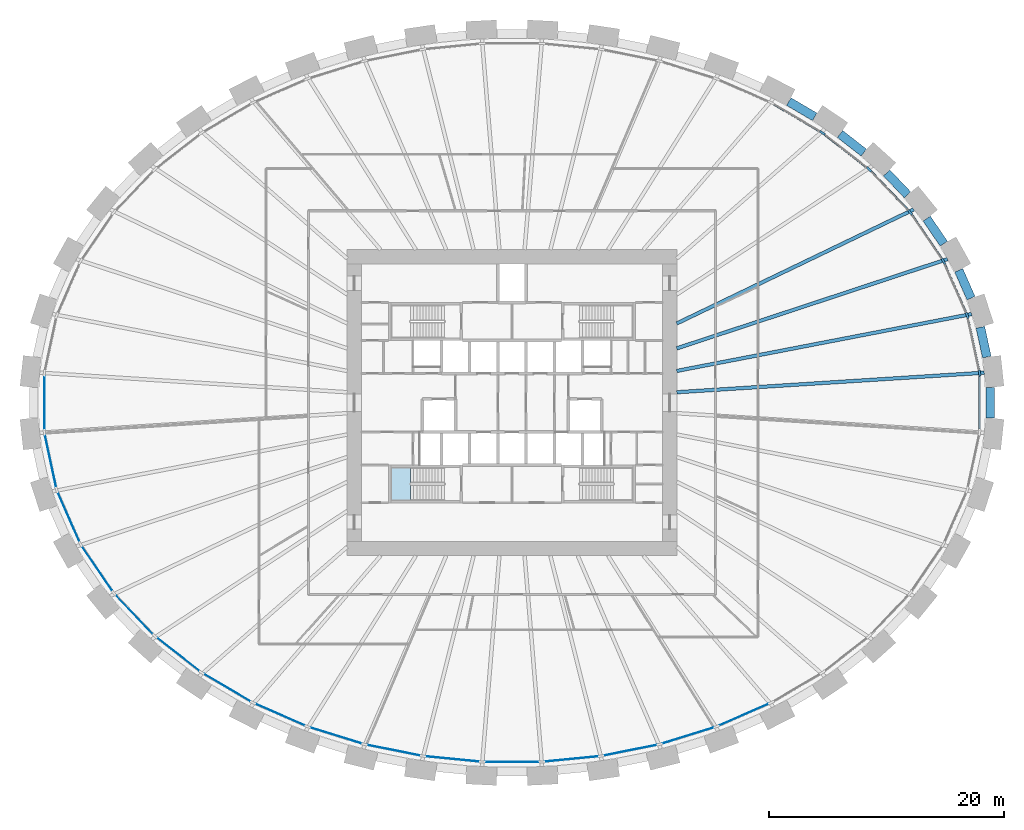
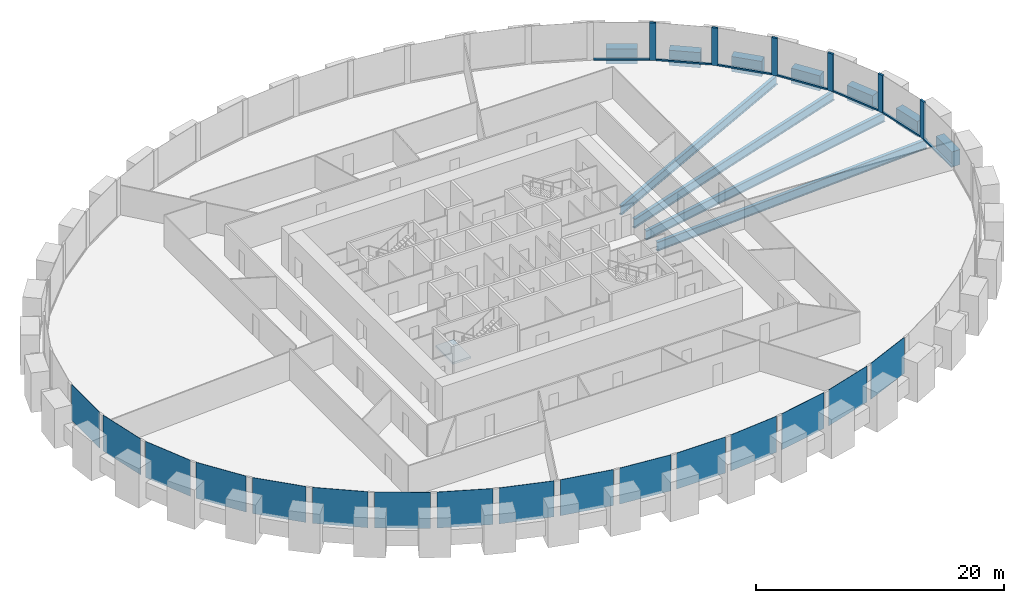
# One storey, part 4 of 10: 16 plates, 13 members, 11 beams, 1 slab, 2 elements without a shape of their own.
"""IFC4 building model written with IfcOpenShell, lengths in metres."""

from ifc_helpers import new_model, si_unit, direction, frame, origin, origin_2d, place, context, subcontext, project, spatial, polyline, rectangle, i_section, outline, extrude, source, transform, mapped, material, layer, layer_set, material_profile, profile_set, type_object, element, aggregate, save


model = new_model("IFC4")

# Units and contexts
model_context = context("Model", 3, precision=1e-05, world=origin(), true_north=direction((0.0, 1.0)))
body_context = subcontext(model_context, "Body", "Model", "MODEL_VIEW")
ifc_project = project(units=[si_unit("LENGTHUNIT", "METRE"), si_unit("AREAUNIT", "SQUARE_METRE"), si_unit("VOLUMEUNIT", "CUBIC_METRE"), si_unit("PLANEANGLEUNIT", "RADIAN"), si_unit("MASSUNIT", "GRAM", prefix="KILO")], contexts=[model_context])

# Site, building, storey
site_placement = place(None, origin())
site = spatial("IfcSite", under=ifc_project, at=site_placement, CompositionType="ELEMENT")
building_placement = place(site_placement, origin())
building = spatial("IfcBuilding", under=site, at=building_placement, Name="Embergate Tower", CompositionType="ELEMENT")
storey_placement = place(building_placement, frame((0.0, 0.0, 81.5)))
storey = spatial("IfcBuildingStorey", under=building, at=storey_placement, Name="L16", CompositionType="ELEMENT", Elevation=81.5)

# Beams
ifc_material_1 = material(Name="Concrete C70", Category="concrete")
ifc_material_profile_1 = material_profile(ifc_material_1, rectangle(XDim=0.75, YDim=1.5, at=origin_2d()), Name="RC 750x1500")
ifc_profile_set_1 = profile_set([ifc_material_profile_1], Name="Concrete C70")
beam_type_1 = type_object("IfcBeamType", Name="Spandrel beam RC 750x1500 C70", PredefinedType="BEAM", material=ifc_profile_set_1)
shared_shape_1 = source(origin(), body_context, "Body", "SweptSolid", [
    extrude(rectangle(XDim=0.75, YDim=1.5, at=origin_2d()), origin(), (0.0, 0.0, 1.0), 2.5869140625),
])
beam_1_placement = place(storey_placement, frame((40.343017578125, 3.8798828125, 0.0), z_axis=(-0.210270227171, 0.977643304874, 0.0), x_axis=(-0.977643304874, -0.210270227171, 0.0)))
element("IfcBeam", 1, at=beam_1_placement, inside=storey, type_object=beam_type_1, Name="SPN-L16-00", PredefinedType="BEAM", context=body_context, shape_type="MappedRepresentation", body=[
    mapped(shared_shape_1, transform((0.0, 0.0, 0.0))),
])
shared_shape_2 = source(origin(), body_context, "Body", "SweptSolid", [
    extrude(rectangle(XDim=0.75, YDim=1.5, at=origin_2d()), origin(), (0.0, 0.0, 1.0), 2.583251953125),
])
beam_2_placement = place(storey_placement, frame((38.9990234375, 8.883056640625, 0.0), z_axis=(-0.401468201792, 0.915872962233, 0.0), x_axis=(-0.915872962233, -0.401468201792, 0.0)))
element("IfcBeam", 2, at=beam_2_placement, inside=storey, type_object=beam_type_1, Name="SPN-L16-01", PredefinedType="BEAM", context=body_context, shape_type="MappedRepresentation", body=[
    mapped(shared_shape_2, transform((0.0, 0.0, 0.0))),
])
shared_shape_3 = source(origin(), body_context, "Body", "SweptSolid", [
    extrude(rectangle(XDim=0.75, YDim=1.5, at=origin_2d()), origin(), (0.0, 0.0, 1.0), 2.574951171875),
])
beam_3_placement = place(storey_placement, frame((36.68603515625, 13.513916015625, 0.0), z_axis=(-0.562356702599, 0.826894756932, 0.0), x_axis=(-0.826894756932, -0.562356702599, 0.0)))
element("IfcBeam", 3, at=beam_3_placement, inside=storey, type_object=beam_type_1, Name="SPN-L16-02", PredefinedType="BEAM", context=body_context, shape_type="MappedRepresentation", body=[
    mapped(shared_shape_3, transform((0.0, 0.0, 0.0))),
])
shared_shape_4 = source(origin(), body_context, "Body", "SweptSolid", [
    extrude(rectangle(XDim=0.75, YDim=1.5, at=origin_2d()), origin(), (0.0, 0.0, 1.0), 2.568115234375),
])
beam_4_placement = place(storey_placement, frame((33.60400390625, 17.6650390625, 0.0), z_axis=(-0.68998268655, 0.723825871506, 0.0), x_axis=(-0.723825871506, -0.68998268655, 0.0)))
element("IfcBeam", 4, at=beam_4_placement, inside=storey, type_object=beam_type_1, Name="SPN-L16-03", PredefinedType="BEAM", context=body_context, shape_type="MappedRepresentation", body=[
    mapped(shared_shape_4, transform((0.0, 0.0, 0.0))),
])
shared_shape_5 = source(origin(), body_context, "Body", "SweptSolid", [
    extrude(rectangle(XDim=0.75, YDim=1.5, at=origin_2d()), origin(), (0.0, 0.0, 1.0), 2.560791015625),
])
beam_5_placement = place(storey_placement, frame((29.89111328125, 21.25390625, 0.0), z_axis=(-0.788437573921, 0.615114779557, 0.0), x_axis=(-0.615114779557, -0.788437573921, 0.0)))
element("IfcBeam", 5, at=beam_5_placement, inside=storey, type_object=beam_type_1, Name="SPN-L16-04", PredefinedType="BEAM", context=body_context, shape_type="MappedRepresentation", body=[
    mapped(shared_shape_5, transform((0.0, 0.0, 0.0))),
])
shared_shape_6 = source(origin(), body_context, "Body", "SweptSolid", [
    extrude(rectangle(XDim=0.75, YDim=1.5, at=origin_2d()), origin(), (0.0, 0.0, 1.0), 2.55517578125),
])
beam_6_placement = place(storey_placement, frame((25.721923828125, 24.291015625, 0.0), z_axis=(-0.862086455961, 0.506761228241, 0.0), x_axis=(-0.506761228241, -0.862086455961, 0.0)))
element("IfcBeam", 6, at=beam_6_placement, inside=storey, type_object=beam_type_1, Name="SPN-L16-05", PredefinedType="BEAM", context=body_context, shape_type="MappedRepresentation", body=[
    mapped(shared_shape_6, transform((0.0, 0.0, 0.0))),
])
shared_shape_7 = source(origin(), body_context, "Body", "SweptSolid", [
    extrude(rectangle(XDim=0.75, YDim=1.5, at=origin_2d()), origin(), (0.0, 0.0, 1.0), 2.59423828125),
])
beam_7_placement = place(storey_placement, frame((40.637939453125, -1.297119140625, 0.0), z_axis=(0.0, 1.0, 0.0), x_axis=(-1.0, 0.0, 0.0)))
element("IfcBeam", 7, at=beam_7_placement, inside=storey, type_object=beam_type_1, Name="SPN-L16-43", PredefinedType="BEAM", context=body_context, shape_type="MappedRepresentation", body=[
    mapped(shared_shape_7, transform((0.0, 0.0, 0.0))),
])
ifc_material_2 = material(Name="Steel Q355B", Category="steel")
ifc_material_profile_2 = material_profile(ifc_material_2, i_section(OverallWidth=0.300048828125, OverallDepth=0.89990234375, WebThickness=0.01611328125, FlangeThickness=0.028076171875, FilletRadius=0.028076171875, at=origin_2d()), Name="HN 900x300x16x28")
ifc_profile_set_2 = profile_set([ifc_material_profile_2], Name="Steel Q355 grade B")
beam_type_2 = type_object("IfcBeamType", Name="Radial girder HN 900x300x16x28", PredefinedType="BEAM", material=ifc_profile_set_2)
shared_shape_8 = source(origin(), body_context, "Body", "SweptSolid", [
    extrude(i_section(OverallWidth=0.300048828125, OverallDepth=0.89990234375, WebThickness=0.01611328125, FlangeThickness=0.028076171875, FilletRadius=0.028076171875, at=origin_2d()), origin(), (0.0, 0.0, 1.0), 26.17578125),
])
beam_8_placement = place(storey_placement, frame((40.123046875, 2.549072265625, -0.64990234375), z_axis=(-0.997989066798, -0.063386296243, 0.0), x_axis=(0.063386296243, -0.997989066798, 0.0)))
element("IfcBeam", 8, at=beam_8_placement, inside=storey, type_object=beam_type_2, Name="GIR-L16-00", PredefinedType="BEAM", context=body_context, shape_type="MappedRepresentation", body=[
    mapped(shared_shape_8, transform((0.0, 0.0, 0.0))),
])
shared_shape_9 = source(origin(), body_context, "Body", "SweptSolid", [
    extrude(i_section(OverallWidth=0.300048828125, OverallDepth=0.89990234375, WebThickness=0.01611328125, FlangeThickness=0.028076171875, FilletRadius=0.028076171875, at=origin_2d()), origin(), (0.0, 0.0, 1.0), 25.5126953125),
])
beam_9_placement = place(storey_placement, frame((39.051025390625, 7.532958984375, -0.64990234375), z_axis=(-0.981900703084, -0.189396434187, 0.0), x_axis=(0.189396434187, -0.981900703084, 0.0)))
element("IfcBeam", 9, at=beam_9_placement, inside=storey, type_object=beam_type_2, Name="GIR-L16-01", PredefinedType="BEAM", context=body_context, shape_type="MappedRepresentation", body=[
    mapped(shared_shape_9, transform((0.0, 0.0, 0.0))),
])
shared_shape_10 = source(origin(), body_context, "Body", "SweptSolid", [
    extrude(i_section(OverallWidth=0.300048828125, OverallDepth=0.89990234375, WebThickness=0.01611328125, FlangeThickness=0.028076171875, FilletRadius=0.028076171875, at=origin_2d()), origin(), (0.0, 0.0, 1.0), 24.221435546875),
])
beam_10_placement = place(storey_placement, frame((37.0029296875, 12.202880859375, -0.64990234375), z_axis=(-0.949690422, -0.313190201575, 0.0), x_axis=(0.313190201575, -0.949690422, 0.0)))
element("IfcBeam", 10, at=beam_10_placement, inside=storey, type_object=beam_type_2, Name="GIR-L16-02", PredefinedType="BEAM", context=body_context, shape_type="MappedRepresentation", body=[
    mapped(shared_shape_10, transform((0.0, 0.0, 0.0))),
])
shared_shape_11 = source(origin(), body_context, "Body", "SweptSolid", [
    extrude(i_section(OverallWidth=0.300048828125, OverallDepth=0.89990234375, WebThickness=0.01611328125, FlangeThickness=0.028076171875, FilletRadius=0.028076171875, at=origin_2d()), origin(), (0.0, 0.0, 1.0), 22.343505859375),
])
beam_11_placement = place(storey_placement, frame((34.135009765625, 16.4208984375, -0.64990234375), z_axis=(-0.901156313857, -0.433494288308, 0.0), x_axis=(0.433494288308, -0.901156313857, 0.0)))
element("IfcBeam", 11, at=beam_11_placement, inside=storey, type_object=beam_type_2, Name="GIR-L16-03", PredefinedType="BEAM", context=body_context, shape_type="MappedRepresentation", body=[
    mapped(shared_shape_11, transform((0.0, 0.0, 0.0))),
])

# Curtain wall, members, plates
ifc_material_3 = material(Name="Aluminium and glass", Category="aluminium")
curtain_wall_type = type_object("IfcCurtainWallType", Name="Recessed office glazing", PredefinedType="NOTDEFINED", material=ifc_material_3)
curtain_wall_placement = place(storey_placement, origin())
curtain_wall = element("IfcCurtainWall", 12, at=curtain_wall_placement, inside=storey, type_object=curtain_wall_type, Name="Recessed office glazing ring", ObjectType="RECESSED OFFICE GLAZING", PredefinedType="USERDEFINED")
ifc_material_4 = material(Name="Aluminium, thermally broken", Category="aluminium")
ifc_material_profile_3 = material_profile(ifc_material_4, rectangle(XDim=0.179931640625, YDim=0.52001953125, at=origin_2d()), Name="AL 520x180")
ifc_profile_set_3 = profile_set([ifc_material_profile_3], Name="Aluminium, thermally broken")
member_type_1 = type_object("IfcMemberType", Name="Office mullion", PredefinedType="MULLION", material=ifc_profile_set_3)
shared_shape_12 = source(origin(), body_context, "Body", "SweptSolid", [
    extrude(rectangle(XDim=0.179931640625, YDim=0.52001953125, at=origin_2d()), origin(), (0.0, 0.0, 1.0), 3.699951171875),
])
member_1_placement = place(storey_placement, frame((39.735595703125, 2.507080078125, 0.0), z_axis=(0.0, 0.0, 1.0), x_axis=(-0.994385139431, -0.105821521816, 0.0)))
member_1 = element("IfcMember", 13, at=member_1_placement, type_object=member_type_1, Name="CW mullion 1", PredefinedType="MULLION", context=body_context, shape_type="MappedRepresentation", body=[
    mapped(shared_shape_12, transform((0.0, 0.0, 0.0))),
])
member_2_placement = place(storey_placement, frame((38.68017578125, 7.412109375, 0.0), z_axis=(0.0, 0.0, 1.0), x_axis=(-0.95149940886, -0.307650572791, 0.0)))
member_2 = element("IfcMember", 14, at=member_2_placement, type_object=member_type_1, Name="CW mullion 2", PredefinedType="MULLION", context=body_context, shape_type="MappedRepresentation", body=[
    mapped(shared_shape_12, transform((0.0, 0.0, 0.0))),
])
member_3_placement = place(storey_placement, frame((36.662109375, 12.012939453125, 0.0), z_axis=(0.0, 0.0, 1.0), x_axis=(-0.875005275602, -0.484113383071, 0.0)))
member_3 = element("IfcMember", 15, at=member_3_placement, type_object=member_type_1, Name="CW mullion 3", PredefinedType="MULLION", context=body_context, shape_type="MappedRepresentation", body=[
    mapped(shared_shape_12, transform((0.0, 0.0, 0.0))),
])
member_4_placement = place(storey_placement, frame((33.831787109375, 16.1748046875, 0.0), z_axis=(0.0, 0.0, 1.0), x_axis=(-0.777875854755, -0.628417977615, 0.0)))
member_4 = element("IfcMember", 16, at=member_4_placement, type_object=member_type_1, Name="CW mullion 4", PredefinedType="MULLION", context=body_context, shape_type="MappedRepresentation", body=[
    mapped(shared_shape_12, transform((0.0, 0.0, 0.0))),
])
member_5_placement = place(storey_placement, frame((30.352294921875, 19.823486328125, 0.0), z_axis=(0.0, 0.0, 1.0), x_axis=(-0.671229121411, -0.741249935292, 0.0)))
member_5 = element("IfcMember", 17, at=member_5_placement, type_object=member_type_1, Name="CW mullion 5", PredefinedType="MULLION", context=body_context, shape_type="MappedRepresentation", body=[
    mapped(shared_shape_12, transform((0.0, 0.0, 0.0))),
])
member_6_placement = place(storey_placement, frame((26.37158203125, 22.930419921875, 0.0), z_axis=(0.0, 0.0, 1.0), x_axis=(-0.562217618544, -0.826989328467, 0.0)))
member_6 = element("IfcMember", 18, at=member_6_placement, type_object=member_type_1, Name="CW mullion 6", PredefinedType="MULLION", context=body_context, shape_type="MappedRepresentation", body=[
    mapped(shared_shape_12, transform((0.0, 0.0, 0.0))),
])
ifc_material_profile_4 = material_profile(ifc_material_4, rectangle(XDim=0.179931640625, YDim=0.14990234375, at=origin_2d()), Name="AL 150x180")
ifc_profile_set_4 = profile_set([ifc_material_profile_4], Name="Aluminium, thermally broken")
member_type_2 = type_object("IfcMemberType", Name="Office sill transom", PredefinedType="USERDEFINED", material=ifc_profile_set_4)
shared_shape_13 = source(origin(), body_context, "Body", "SweptSolid", [
    extrude(rectangle(XDim=0.179931640625, YDim=0.14990234375, at=origin_2d()), origin(), (0.0, 0.0, 1.0), 4.529296875),
])
member_7_placement = place(storey_placement, frame((30.147216796875, 19.983642578125, 0.074951171875), z_axis=(-0.788306218653, 0.615283110148, 0.0), x_axis=(-0.615283110148, -0.788306218653, 0.0)))
member_7 = element("IfcMember", 19, at=member_7_placement, type_object=member_type_2, Name="CW transom 5.1", ObjectType="TRANSOM", PredefinedType="USERDEFINED", context=body_context, shape_type="MappedRepresentation", body=[
    mapped(shared_shape_13, transform((0.0, 0.0, 0.0))),
])
shared_shape_14 = source(origin(), body_context, "Body", "SweptSolid", [
    extrude(rectangle(XDim=0.179931640625, YDim=0.14990234375, at=origin_2d()), origin(), (0.0, 0.0, 1.0), 4.496826171875),
])
member_8_placement = place(storey_placement, frame((39.680908203125, 2.761474609375, 0.074951171875), z_axis=(-0.210378069806, 0.977620104, 0.0), x_axis=(-0.977620104, -0.210378069806, 0.0)))
member_8 = element("IfcMember", 20, at=member_8_placement, type_object=member_type_2, Name="CW transom 1.1", ObjectType="TRANSOM", PredefinedType="USERDEFINED", context=body_context, shape_type="MappedRepresentation", body=[
    mapped(shared_shape_14, transform((0.0, 0.0, 0.0))),
])
shared_shape_15 = source(origin(), body_context, "Body", "SweptSolid", [
    extrude(rectangle(XDim=0.179931640625, YDim=0.14990234375, at=origin_2d()), origin(), (0.0, 0.0, 1.0), 4.504150390625),
])
member_9_placement = place(storey_placement, frame((38.57568359375, 7.650146484375, 0.074951171875), z_axis=(-0.401657507377, 0.915789957778, 0.0), x_axis=(-0.915789957778, -0.401657507377, 0.0)))
member_9 = element("IfcMember", 21, at=member_9_placement, type_object=member_type_2, Name="CW transom 2.1", ObjectType="TRANSOM", PredefinedType="USERDEFINED", context=body_context, shape_type="MappedRepresentation", body=[
    mapped(shared_shape_15, transform((0.0, 0.0, 0.0))),
])
shared_shape_16 = source(origin(), body_context, "Body", "SweptSolid", [
    extrude(rectangle(XDim=0.179931640625, YDim=0.14990234375, at=origin_2d()), origin(), (0.0, 0.0, 1.0), 4.51318359375),
])
member_10_placement = place(storey_placement, frame((36.515869140625, 12.22802734375, 0.074951171875), z_axis=(-0.562329256749, 0.82691342171, 0.0), x_axis=(-0.82691342171, -0.562329256749, 0.0)))
member_10 = element("IfcMember", 22, at=member_10_placement, type_object=member_type_2, Name="CW transom 3.1", ObjectType="TRANSOM", PredefinedType="USERDEFINED", context=body_context, shape_type="MappedRepresentation", body=[
    mapped(shared_shape_16, transform((0.0, 0.0, 0.0))),
])
shared_shape_17 = source(origin(), body_context, "Body", "SweptSolid", [
    extrude(rectangle(XDim=0.179931640625, YDim=0.14990234375, at=origin_2d()), origin(), (0.0, 0.0, 1.0), 4.52197265625),
])
member_11_placement = place(storey_placement, frame((33.65234375, 16.363037109375, 0.074951171875), z_axis=(-0.690144384651, 0.723671699277, 0.0), x_axis=(-0.723671699277, -0.690144384651, 0.0)))
member_11 = element("IfcMember", 23, at=member_11_placement, type_object=member_type_2, Name="CW transom 4.1", ObjectType="TRANSOM", PredefinedType="USERDEFINED", context=body_context, shape_type="MappedRepresentation", body=[
    mapped(shared_shape_17, transform((0.0, 0.0, 0.0))),
])
shared_shape_18 = source(origin(), body_context, "Body", "SweptSolid", [
    extrude(rectangle(XDim=0.179931640625, YDim=0.14990234375, at=origin_2d()), origin(), (0.0, 0.0, 1.0), 4.535400390625),
])
member_12_placement = place(storey_placement, frame((26.1474609375, 23.06201171875, 0.074951171875), z_axis=(-0.862028298447, 0.506860151004, 0.0), x_axis=(-0.506860151004, -0.862028298447, 0.0)))
member_12 = element("IfcMember", 24, at=member_12_placement, type_object=member_type_2, Name="CW transom 6.1", ObjectType="TRANSOM", PredefinedType="USERDEFINED", context=body_context, shape_type="MappedRepresentation", body=[
    mapped(shared_shape_18, transform((0.0, 0.0, 0.0))),
])
shared_shape_19 = source(origin(), body_context, "Body", "SweptSolid", [
    extrude(rectangle(XDim=0.179931640625, YDim=0.14990234375, at=origin_2d()), origin(), (0.0, 0.0, 1.0), 4.49462890625),
])
member_13_placement = place(storey_placement, frame((39.735595703125, -2.247314453125, 0.074951171875), z_axis=(0.0, 1.0, 0.0), x_axis=(-1.0, 0.0, 0.0)))
member_13 = element("IfcMember", 25, at=member_13_placement, type_object=member_type_2, Name="CW transom 44.1", ObjectType="TRANSOM", PredefinedType="USERDEFINED", context=body_context, shape_type="MappedRepresentation", body=[
    mapped(shared_shape_19, transform((0.0, 0.0, 0.0))),
])
ifc_material_5 = material(Name="Triple glazing, low-emissivity coating", Category="glass")
ifc_layer_1 = layer(ifc_material_5, 0.035888671875)
ifc_layer_set_1 = layer_set([ifc_layer_1], Name="Triple glazing, low-emissivity coating")
plate_type = type_object("IfcPlateType", Name="Office glazing unit", PredefinedType="CURTAIN_PANEL", material=ifc_layer_set_1)
shared_shape_20 = source(origin(), body_context, "Body", "SweptSolid", [
    extrude(rectangle(XDim=4.529296875, YDim=0.035888671875, at=origin_2d()), origin(), (0.0, 0.0, 1.0), 3.550048828125),
])
plate_1_placement = place(storey_placement, frame((-28.36181640625, -21.376953125, 0.14990234375), z_axis=(0.0, 0.0, 1.0), x_axis=(0.788321193094, -0.615263924279, 0.0)))
plate_1 = element("IfcPlate", 26, at=plate_1_placement, type_object=plate_type, Name="CW panel 27.1", PredefinedType="CURTAIN_PANEL", context=body_context, shape_type="MappedRepresentation", body=[
    mapped(shared_shape_20, transform((0.0, 0.0, 0.0))),
])
shared_shape_21 = source(origin(), body_context, "Body", "SweptSolid", [
    extrude(rectangle(XDim=4.4970703125, YDim=0.035888671875, at=origin_2d()), origin(), (0.0, 0.0, 1.0), 3.550048828125),
])
plate_2_placement = place(storey_placement, frame((-39.2080078125, -4.959716796875, 0.14990234375), z_axis=(0.0, 0.0, 1.0), x_axis=(0.210398391177, -0.97761573074, 0.0)))
plate_2 = element("IfcPlate", 27, at=plate_2_placement, type_object=plate_type, Name="CW panel 23.1", PredefinedType="CURTAIN_PANEL", context=body_context, shape_type="MappedRepresentation", body=[
    mapped(shared_shape_21, transform((0.0, 0.0, 0.0))),
])
shared_shape_22 = source(origin(), body_context, "Body", "SweptSolid", [
    extrude(rectangle(XDim=4.504150390625, YDim=0.035888671875, at=origin_2d()), origin(), (0.0, 0.0, 1.0), 3.550048828125),
])
plate_3_placement = place(storey_placement, frame((-37.671142578125, -9.71240234375, 0.14990234375), z_axis=(0.0, 0.0, 1.0), x_axis=(0.401652101157, -0.91579232888, 0.0)))
plate_3 = element("IfcPlate", 28, at=plate_3_placement, type_object=plate_type, Name="CW panel 24.1", PredefinedType="CURTAIN_PANEL", context=body_context, shape_type="MappedRepresentation", body=[
    mapped(shared_shape_22, transform((0.0, 0.0, 0.0))),
])
shared_shape_23 = source(origin(), body_context, "Body", "SweptSolid", [
    extrude(rectangle(XDim=4.51318359375, YDim=0.035888671875, at=origin_2d()), origin(), (0.0, 0.0, 1.0), 3.550048828125),
])
plate_4_placement = place(storey_placement, frame((-35.246826171875, -14.093994140625, 0.14990234375), z_axis=(0.0, 0.0, 1.0), x_axis=(0.562343185136, -0.826903949762, 0.0)))
plate_4 = element("IfcPlate", 29, at=plate_4_placement, type_object=plate_type, Name="CW panel 25.1", PredefinedType="CURTAIN_PANEL", context=body_context, shape_type="MappedRepresentation", body=[
    mapped(shared_shape_23, transform((0.0, 0.0, 0.0))),
])
shared_shape_24 = source(origin(), body_context, "Body", "SweptSolid", [
    extrude(rectangle(XDim=4.52197265625, YDim=0.035888671875, at=origin_2d()), origin(), (0.0, 0.0, 1.0), 3.550048828125),
])
plate_5_placement = place(storey_placement, frame((-32.092041015625, -17.999267578125, 0.14990234375), z_axis=(0.0, 0.0, 1.0), x_axis=(0.690135047526, -0.723680603703, 0.0)))
plate_5 = element("IfcPlate", 30, at=plate_5_placement, type_object=plate_type, Name="CW panel 26.1", PredefinedType="CURTAIN_PANEL", context=body_context, shape_type="MappedRepresentation", body=[
    mapped(shared_shape_24, transform((0.0, 0.0, 0.0))),
])
shared_shape_25 = source(origin(), body_context, "Body", "SweptSolid", [
    extrude(rectangle(XDim=4.535400390625, YDim=0.035888671875, at=origin_2d()), origin(), (0.0, 0.0, 1.0), 3.550048828125),
])
plate_6_placement = place(storey_placement, frame((-24.192626953125, -24.21142578125, 0.14990234375), z_axis=(0.0, 0.0, 1.0), x_axis=(0.862053167811, -0.50681785275, 0.0)))
plate_6 = element("IfcPlate", 31, at=plate_6_placement, type_object=plate_type, Name="CW panel 28.1", PredefinedType="CURTAIN_PANEL", context=body_context, shape_type="MappedRepresentation", body=[
    mapped(shared_shape_25, transform((0.0, 0.0, 0.0))),
])
shared_shape_26 = source(origin(), body_context, "Body", "SweptSolid", [
    extrude(rectangle(XDim=4.5400390625, YDim=0.035888671875, at=origin_2d()), origin(), (0.0, 0.0, 1.0), 3.550048828125),
])
plate_7_placement = place(storey_placement, frame((-19.6953125, -26.506103515625, 0.14990234375), z_axis=(0.0, 0.0, 1.0), x_axis=(0.916236211741, -0.400638495772, 0.0)))
plate_7 = element("IfcPlate", 32, at=plate_7_placement, type_object=plate_type, Name="CW panel 29.1", PredefinedType="CURTAIN_PANEL", context=body_context, shape_type="MappedRepresentation", body=[
    mapped(shared_shape_26, transform((0.0, 0.0, 0.0))),
])
plate_8_placement = place(storey_placement, frame((19.6953125, -26.506103515625, 0.14990234375), z_axis=(0.0, 0.0, 1.0), x_axis=(0.916236211741, 0.400638495772, 0.0)))
plate_8 = element("IfcPlate", 33, at=plate_8_placement, type_object=plate_type, Name="CW panel 37.1", PredefinedType="CURTAIN_PANEL", context=body_context, shape_type="MappedRepresentation", body=[
    mapped(shared_shape_26, transform((0.0, 0.0, 0.0))),
])
shared_shape_27 = source(origin(), body_context, "Body", "SweptSolid", [
    extrude(rectangle(XDim=4.54345703125, YDim=0.035888671875, at=origin_2d()), origin(), (0.0, 0.0, 1.0), 3.550048828125),
])
plate_9_placement = place(storey_placement, frame((-14.960205078125, -28.272705078125, 0.14990234375), z_axis=(0.0, 0.0, 1.0), x_axis=(0.954772217174, -0.297338213676, 0.0)))
plate_9 = element("IfcPlate", 34, at=plate_9_placement, type_object=plate_type, Name="CW panel 30.1", PredefinedType="CURTAIN_PANEL", context=body_context, shape_type="MappedRepresentation", body=[
    mapped(shared_shape_27, transform((0.0, 0.0, 0.0))),
])
plate_10_placement = place(storey_placement, frame((14.960205078125, -28.272705078125, 0.14990234375), z_axis=(0.0, 0.0, 1.0), x_axis=(0.954772217174, 0.297338213676, 0.0)))
plate_10 = element("IfcPlate", 35, at=plate_10_placement, type_object=plate_type, Name="CW panel 36.1", PredefinedType="CURTAIN_PANEL", context=body_context, shape_type="MappedRepresentation", body=[
    mapped(shared_shape_27, transform((0.0, 0.0, 0.0))),
])
shared_shape_28 = source(origin(), body_context, "Body", "SweptSolid", [
    extrude(rectangle(XDim=4.545654296875, YDim=0.035888671875, at=origin_2d()), origin(), (0.0, 0.0, 1.0), 3.550048828125),
])
plate_11_placement = place(storey_placement, frame((-10.0595703125, -29.5234375, 0.14990234375), z_axis=(0.0, 0.0, 1.0), x_axis=(0.980475907409, -0.196639250889, 0.0)))
plate_11 = element("IfcPlate", 36, at=plate_11_placement, type_object=plate_type, Name="CW panel 31.1", PredefinedType="CURTAIN_PANEL", context=body_context, shape_type="MappedRepresentation", body=[
    mapped(shared_shape_28, transform((0.0, 0.0, 0.0))),
])
plate_12_placement = place(storey_placement, frame((10.0595703125, -29.5234375, 0.14990234375), z_axis=(0.0, 0.0, 1.0), x_axis=(0.980475907409, 0.196639250889, 0.0)))
plate_12 = element("IfcPlate", 37, at=plate_12_placement, type_object=plate_type, Name="CW panel 35.1", PredefinedType="CURTAIN_PANEL", context=body_context, shape_type="MappedRepresentation", body=[
    mapped(shared_shape_28, transform((0.0, 0.0, 0.0))),
])
shared_shape_29 = source(origin(), body_context, "Body", "SweptSolid", [
    extrude(rectangle(XDim=4.546875, YDim=0.035888671875, at=origin_2d()), origin(), (0.0, 0.0, 1.0), 3.550048828125),
])
plate_13_placement = place(storey_placement, frame((-5.054931640625, -30.269287109375, 0.14990234375), z_axis=(0.0, 0.0, 1.0), x_axis=(0.995203184788, -0.097829550688, 0.0)))
plate_13 = element("IfcPlate", 38, at=plate_13_placement, type_object=plate_type, Name="CW panel 32.1", PredefinedType="CURTAIN_PANEL", context=body_context, shape_type="MappedRepresentation", body=[
    mapped(shared_shape_29, transform((0.0, 0.0, 0.0))),
])
plate_14_placement = place(storey_placement, frame((5.054931640625, -30.269287109375, 0.14990234375), z_axis=(0.0, 0.0, 1.0), x_axis=(0.995203184788, 0.097829550688, 0.0)))
plate_14 = element("IfcPlate", 39, at=plate_14_placement, type_object=plate_type, Name="CW panel 34.1", PredefinedType="CURTAIN_PANEL", context=body_context, shape_type="MappedRepresentation", body=[
    mapped(shared_shape_29, transform((0.0, 0.0, 0.0))),
])
shared_shape_30 = source(origin(), body_context, "Body", "SweptSolid", [
    extrude(rectangle(XDim=4.54736328125, YDim=0.035888671875, at=origin_2d()), origin(), (0.0, 0.0, 1.0), 3.550048828125),
])
plate_15_placement = place(storey_placement, frame((0.0, -30.51708984375, 0.14990234375), z_axis=(0.0, 0.0, 1.0), x_axis=(1.0, 0.0, 0.0)))
plate_15 = element("IfcPlate", 40, at=plate_15_placement, type_object=plate_type, Name="CW panel 33.1", PredefinedType="CURTAIN_PANEL", context=body_context, shape_type="MappedRepresentation", body=[
    mapped(shared_shape_30, transform((0.0, 0.0, 0.0))),
])
shared_shape_31 = source(origin(), body_context, "Body", "SweptSolid", [
    extrude(rectangle(XDim=4.494384765625, YDim=0.035888671875, at=origin_2d()), origin(), (0.0, 0.0, 1.0), 3.550048828125),
])
plate_16_placement = place(storey_placement, frame((-39.735595703125, 0.0, 0.14990234375), z_axis=(0.0, 0.0, 1.0), x_axis=(0.0, -1.0, 0.0)))
plate_16 = element("IfcPlate", 41, at=plate_16_placement, type_object=plate_type, Name="CW panel 22.1", PredefinedType="CURTAIN_PANEL", context=body_context, shape_type="MappedRepresentation", body=[
    mapped(shared_shape_31, transform((0.0, 0.0, 0.0))),
])
aggregate(curtain_wall, [member_1, member_2, member_3, member_4, member_5, member_6, member_8, member_9, member_10, member_11, member_7, member_12, plate_16, plate_2, plate_3, plate_4, plate_5, plate_1, plate_6, plate_7, plate_9, plate_11, plate_13, plate_15, plate_14, plate_12, plate_10, plate_8, member_13])

# Stair, slab
ifc_material_6 = material(Name="Exit stair")
stair_type = type_object("IfcStairType", Name="Exit stair", PredefinedType="HALF_TURN_STAIR", material=ifc_material_6)
stair_placement = place(storey_placement, origin())
stair = element("IfcStair", 42, at=stair_placement, inside=storey, type_object=stair_type, Name="L16 Exit stair 3", PredefinedType="HALF_TURN_STAIR")
ifc_material_7 = material(Name="Concrete C40", Category="concrete")
ifc_layer_2 = layer(ifc_material_7, 0.199951171875)
ifc_layer_set_2 = layer_set([ifc_layer_2], Name="Concrete C40")
slab_type = type_object("IfcSlabType", Name="Stair landing reinforced concrete", PredefinedType="LANDING", material=ifc_layer_set_2)
shared_shape_32 = source(origin(), body_context, "Body", "SweptSolid", [
    extrude(outline(polyline([(0.0, 0.0), (1.68994140625, 0.0), (1.68994140625, 2.800048828125), (0.0, 2.800048828125), (0.0, 0.0)])), origin(), (0.0, 0.0, 1.0), 0.199951171875),
])
slab_placement = place(storey_placement, frame((-10.300048828125, -8.300048828125, 1.75)))
slab = element("IfcSlab", 43, at=slab_placement, type_object=slab_type, Name="ST3 landing 1", PredefinedType="LANDING", context=body_context, shape_type="MappedRepresentation", body=[
    mapped(shared_shape_32, transform((0.0, 0.0, 0.0))),
])
aggregate(stair, [slab])

save(model, "model.ifc")
